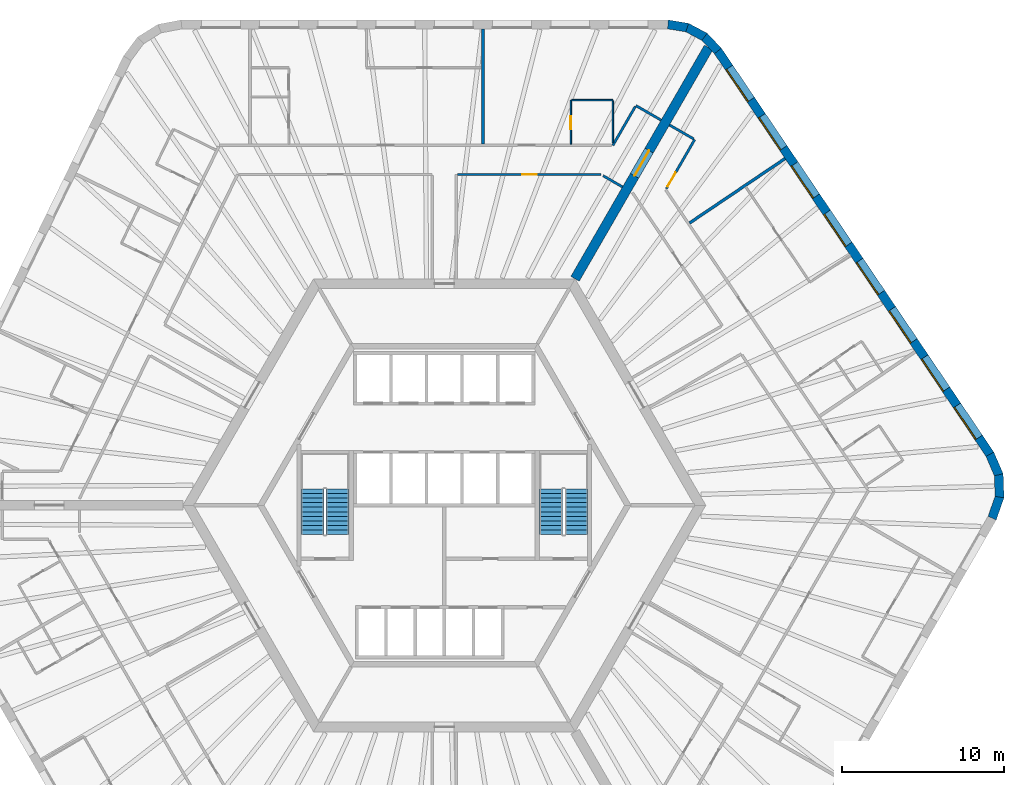
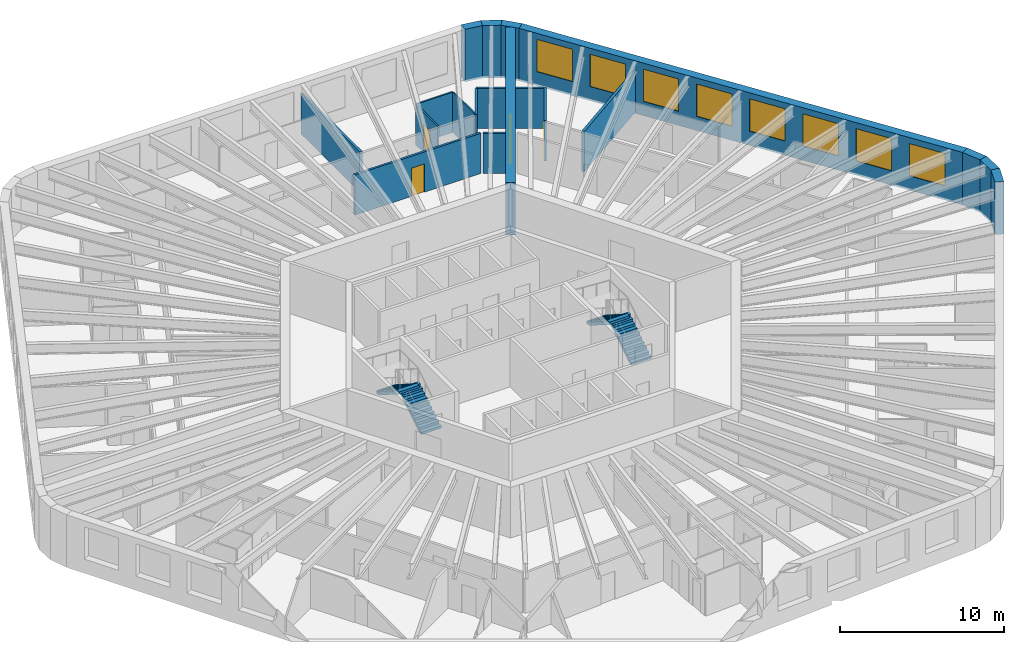
# One storey, part 10 of 11: 19 walls, 8 windows, 4 doors, 4 stair flights, 12 openings, 2 elements without a shape of their own.
"""IFC4 building model written with IfcOpenShell, lengths in metres."""

from ifc_helpers import new_model, si_unit, direction, frame, frame_2d, origin, place, context, subcontext, project, spatial, polyline, rectangle, outline, extrude, material, layer, layer_set, type_object, element, fill, aggregate, save


model = new_model("IFC4")

# Units and contexts
model_context = context("Model", 3, precision=1e-05, world=origin(), true_north=direction((0.0, 1.0)))
body_context = subcontext(model_context, "Body", "Model", "MODEL_VIEW")
ifc_project = project(units=[si_unit("LENGTHUNIT", "METRE"), si_unit("AREAUNIT", "SQUARE_METRE"), si_unit("VOLUMEUNIT", "CUBIC_METRE"), si_unit("PLANEANGLEUNIT", "RADIAN"), si_unit("MASSUNIT", "GRAM", prefix="KILO")], contexts=[model_context])

# Site, building, storey
site_placement = place(None, origin())
site = spatial("IfcSite", under=ifc_project, at=site_placement, CompositionType="ELEMENT")
building_placement = place(site_placement, origin())
building = spatial("IfcBuilding", under=site, at=building_placement, Name="Tarnside Tower", CompositionType="ELEMENT")
storey_placement = place(building_placement, frame((0.0, 0.0, 103.800048828125)))
storey = spatial("IfcBuildingStorey", under=building, at=storey_placement, Name="L23", CompositionType="ELEMENT", Elevation=103.800048828125)

# Wall, opening, door
ifc_material_1 = material(Name="Gypsum board partition on steel studs", Category="steel")
ifc_layer_1 = layer(ifc_material_1, 0.10009765625)
ifc_layer_set_1 = layer_set([ifc_layer_1], Name="Bathroom wall 100")
wall_type_1 = type_object("IfcWallType", Name="Bathroom wall 100", PredefinedType="PARTITIONING", material=ifc_layer_set_1)
wall_1_placement = place(storey_placement, frame((7.8212890625, 22.324951171875, 0.0), z_axis=(0.0, 0.0, 1.0), x_axis=(0.0, 1.0, 0.0)))
wall_1 = element("IfcWall", 1, at=wall_1_placement, inside=storey, type_object=wall_type_1, Name="Bathroom wall 07076", PredefinedType="PARTITIONING", context=body_context, shape_type="SweptSolid", body=[
    extrude(rectangle(XDim=2.72509765625, YDim=0.10009765625, at=frame_2d((1.362548828125, 0.0))), origin(), (0.0, 0.0, 1.0), 2.98779296875),
])
opening_1_placement = place(wall_1_placement, frame((0.925048828125, 0.0, 0.0)))
opening_1 = element("IfcOpeningElement", 2, at=opening_1_placement, cuts=wall_1, Name="Opening D-B1", PredefinedType="OPENING", context=body_context, shape_type="SweptSolid", body=[
    extrude(rectangle(XDim=0.800048828125, YDim=2.10009765625, at=frame_2d((0.39990234375, 1.050048828125))), frame((0.0, 0.06005859375, 0.0), z_axis=(0.0, -1.0, 0.0), x_axis=(1.0, 0.0, 0.0)), (0.0, 0.0, 1.0), 0.1201171875),
])
ifc_material_2 = material(Name="Timber door leaf", Category="wood")
door_type_1 = type_object("IfcDoorType", Name="Bathroom door 800", OperationType="NOTDEFINED", PredefinedType="DOOR", material=ifc_material_2)
door_1_placement = place(opening_1_placement, origin())
door_1 = element("IfcDoor", 3, at=door_1_placement, inside=storey, type_object=door_type_1, Name="Bathroom door 07002", OperationType="SINGLE_SWING_RIGHT", OverallHeight=2.10009765625, OverallWidth=0.800048828125, PredefinedType="DOOR", context=body_context, shape_type="SweptSolid", body=[
    extrude(rectangle(XDim=0.800048828125, YDim=2.10009765625, at=frame_2d((0.39990234375, 1.050048828125))), frame((0.0, 0.02490234375, 0.0), z_axis=(0.0, -1.0, 0.0), x_axis=(1.0, 0.0, 0.0)), (0.0, 0.0, 1.0), 0.050048828125),
])
fill(opening_1, door_1)

# Walls
wall_2_placement = place(storey_placement, frame((7.87109375, 25.050048828125, 0.0), z_axis=(0.0, 0.0, 1.0), x_axis=(1.0, 0.0, 0.0)))
element("IfcWall", 4, at=wall_2_placement, inside=storey, type_object=wall_type_1, Name="Bathroom wall 07077", PredefinedType="PARTITIONING", context=body_context, shape_type="SweptSolid", body=[
    extrude(rectangle(XDim=2.550048828125, YDim=0.10009765625, at=frame_2d((1.27490234375, 0.0))), origin(), (0.0, 0.0, 1.0), 2.98779296875),
])
wall_3_placement = place(storey_placement, frame((10.421142578125, 25.0, 0.0), z_axis=(0.0, 0.0, 1.0), x_axis=(0.0, -1.0, 0.0)))
element("IfcWall", 5, at=wall_3_placement, inside=storey, type_object=wall_type_1, Name="Bathroom wall 07078", PredefinedType="PARTITIONING", context=body_context, shape_type="SweptSolid", body=[
    extrude(rectangle(XDim=2.60009765625, YDim=0.10009765625, at=frame_2d((1.300048828125, 0.0))), origin(), (0.0, 0.0, 1.0), 2.98779296875),
])

# Wall, opening, door
ifc_material_3 = material(Name="Concrete C80/95", Category="concrete")
ifc_layer_2 = layer(ifc_material_3, 0.60009765625)
ifc_layer_set_2 = layer_set([ifc_layer_2], Name="Core wall Z1 600 C80/95")
wall_type_2 = type_object("IfcWallType", Name="Core wall Z1 600 C80/95", PredefinedType="SHEAR", material=ifc_layer_set_2)
wall_4_placement = place(storey_placement, frame((8.0830078125, 14.0, -0.150146484375), z_axis=(0.0, 0.0, 1.0), x_axis=(0.499997680643, 0.866026742862, 0.0)))
wall_4 = element("IfcWall", 6, at=wall_4_placement, inside=storey, type_object=wall_type_2, Name="L23 spine wall 1", PredefinedType="SHEAR", context=body_context, shape_type="SweptSolid", body=[
    extrude(rectangle(XDim=16.5087890625, YDim=0.60009765625, at=frame_2d((8.25439453125, 0.0))), origin(), (0.0, 0.0, 1.0), 3.900146484375),
])
opening_2_placement = place(wall_4_placement, frame((7.3544921875, 0.0, 0.14990234375)))
opening_2 = element("IfcOpeningElement", 7, at=opening_2_placement, cuts=wall_4, Name="Opening CD-SPN", PredefinedType="OPENING", context=body_context, shape_type="SweptSolid", body=[
    extrude(rectangle(XDim=1.800048828125, YDim=2.39990234375, at=frame_2d((0.89990234375, 1.199951171875))), frame((0.0, 0.31005859375, 0.0), z_axis=(0.0, -1.0, 0.0), x_axis=(1.0, 0.0, 0.0)), (0.0, 0.0, 1.0), 0.6201171875),
])
ifc_material_4 = material(Name="Steel fire door", Category="steel")
door_type_2 = type_object("IfcDoorType", Name="Spine passage double door FD60 1800x2400", OperationType="NOTDEFINED", PredefinedType="DOOR", material=ifc_material_4)
door_2_placement = place(opening_2_placement, origin())
door_2 = element("IfcDoor", 8, at=door_2_placement, inside=storey, type_object=door_type_2, Name="L23 spine passage door 1", OperationType="DOUBLE_DOOR_SINGLE_SWING", OverallHeight=2.39990234375, OverallWidth=1.800048828125, PredefinedType="DOOR", context=body_context, shape_type="SweptSolid", body=[
    extrude(rectangle(XDim=1.800048828125, YDim=2.39990234375, at=frame_2d((0.89990234375, 1.199951171875))), frame((0.0, 0.02490234375, 0.0), z_axis=(0.0, -1.0, 0.0), x_axis=(1.0, 0.0, 0.0)), (0.0, 0.0, 1.0), 0.050048828125),
])
fill(opening_2, door_2)

# Walls
ifc_layer_3 = layer(ifc_material_1, 0.14990234375)
ifc_layer_set_3 = layer_set([ifc_layer_3], Name="Corridor wall 150 EI 60")
wall_type_3 = type_object("IfcWallType", Name="Corridor wall 150 EI 60", PredefinedType="PARTITIONING", material=ifc_layer_set_3)
wall_5_placement = place(storey_placement, frame((13.400390625, 23.81005859375, 0.0), z_axis=(0.0, 0.0, 1.0), x_axis=(-0.865989075817, 0.500062916607, 0.0)))
element("IfcWall", 9, at=wall_5_placement, inside=storey, type_object=wall_type_3, Name="Corridor wall 07002", PredefinedType="PARTITIONING", context=body_context, shape_type="SweptSolid", body=[
    extrude(rectangle(XDim=1.800048828125, YDim=0.14990234375, at=frame_2d((0.89990234375, 0.0))), origin(), (0.0, 0.0, 1.0), 2.98779296875),
])
wall_6_placement = place(storey_placement, frame((11.803955078125, 24.64501953125, 0.0), z_axis=(0.0, 0.0, 1.0), x_axis=(-0.500012835235, -0.866017993231, 0.0)))
element("IfcWall", 10, at=wall_6_placement, inside=storey, type_object=wall_type_3, Name="Corridor wall 07003", PredefinedType="PARTITIONING", context=body_context, shape_type="SweptSolid", body=[
    extrude(rectangle(XDim=2.765625, YDim=0.14990234375, at=frame_2d((1.3828125, 0.0))), origin(), (0.0, 0.0, 1.0), 2.98779296875),
])

# Wall, opening, door
wall_7_placement = place(storey_placement, frame((0.824951171875, 20.449951171875, 0.0), z_axis=(0.0, 0.0, 1.0), x_axis=(1.0, 0.0, 0.0)))
wall_7 = element("IfcWall", 11, at=wall_7_placement, inside=storey, type_object=wall_type_3, Name="Corridor wall 07023", PredefinedType="PARTITIONING", context=body_context, shape_type="SweptSolid", body=[
    extrude(rectangle(XDim=8.860107421875, YDim=0.14990234375, at=frame_2d((4.43017578125, 0.0))), origin(), (0.0, 0.0, 1.0), 2.98779296875),
])
opening_3_placement = place(wall_7_placement, frame((3.97998046875, 0.0, 0.0)))
opening_3 = element("IfcOpeningElement", 12, at=opening_3_placement, cuts=wall_7, Name="Opening D-S1", PredefinedType="OPENING", context=body_context, shape_type="SweptSolid", body=[
    extrude(rectangle(XDim=0.89990234375, YDim=2.10009765625, at=frame_2d((0.449951171875, 1.050048828125))), frame((0.0, 0.0849609375, 0.0), z_axis=(0.0, -1.0, 0.0), x_axis=(1.0, 0.0, 0.0)), (0.0, 0.0, 1.0), 0.169921875),
])
door_type_3 = type_object("IfcDoorType", Name="Service room door 900 FD30S", OperationType="NOTDEFINED", PredefinedType="DOOR", material=ifc_material_2)
door_3_placement = place(opening_3_placement, origin())
door_3 = element("IfcDoor", 13, at=door_3_placement, inside=storey, type_object=door_type_3, Name="Service door 07043", OperationType="SINGLE_SWING_LEFT", OverallHeight=2.10009765625, OverallWidth=0.89990234375, PredefinedType="DOOR", context=body_context, shape_type="SweptSolid", body=[
    extrude(rectangle(XDim=0.89990234375, YDim=2.10009765625, at=frame_2d((0.449951171875, 1.050048828125))), frame((0.0, 0.02490234375, 0.0), z_axis=(0.0, -1.0, 0.0), x_axis=(1.0, 0.0, 0.0)), (0.0, 0.0, 1.0), 0.050048828125),
])
fill(opening_3, door_3)

# Wall
wall_8_placement = place(storey_placement, frame((9.81494140625, 20.375, 0.0), z_axis=(0.0, 0.0, 1.0), x_axis=(0.86600392025, -0.500037208726, 0.0)))
element("IfcWall", 14, at=wall_8_placement, inside=storey, type_object=wall_type_3, Name="Corridor wall 07024", PredefinedType="PARTITIONING", context=body_context, shape_type="SweptSolid", body=[
    extrude(rectangle(XDim=1.3876953125, YDim=0.14990234375, at=frame_2d((0.69384765625, 0.0))), origin(), (0.0, 0.0, 1.0), 2.98779296875),
])

# Wall, opening, door
wall_9_placement = place(storey_placement, frame((13.72607421875, 19.573974609375, 0.0), z_axis=(0.0, 0.0, 1.0), x_axis=(0.499951531933, 0.866053385028, 0.0)))
wall_9 = element("IfcWall", 15, at=wall_9_placement, inside=storey, type_object=wall_type_3, Name="Corridor wall 07065", PredefinedType="PARTITIONING", context=body_context, shape_type="SweptSolid", body=[
    extrude(rectangle(XDim=3.505615234375, YDim=0.14990234375, at=frame_2d((1.7529296875, 0.0))), origin(), (0.0, 0.0, 1.0), 2.98779296875),
])
opening_4_placement = place(wall_9_placement, frame((0.14990234375, 0.0, 0.0)))
opening_4 = element("IfcOpeningElement", 16, at=opening_4_placement, cuts=wall_9, Name="Opening D-E1", PredefinedType="OPENING", context=body_context, shape_type="SweptSolid", body=[
    extrude(rectangle(XDim=1.0, YDim=2.10009765625, at=frame_2d((0.5, 1.050048828125))), frame((0.0, 0.0849609375, 0.0), z_axis=(0.0, -1.0, 0.0), x_axis=(1.0, 0.0, 0.0)), (0.0, 0.0, 1.0), 0.169921875),
])
door_type_4 = type_object("IfcDoorType", Name="Unit entrance door 1000 FD30S", OperationType="NOTDEFINED", PredefinedType="DOOR", material=ifc_material_2)
door_4_placement = place(opening_4_placement, origin())
door_4 = element("IfcDoor", 17, at=door_4_placement, inside=storey, type_object=door_type_4, Name="Unit door 07041", OperationType="SINGLE_SWING_RIGHT", OverallHeight=2.10009765625, OverallWidth=1.0, PredefinedType="DOOR", context=body_context, shape_type="SweptSolid", body=[
    extrude(rectangle(XDim=1.0, YDim=2.10009765625, at=frame_2d((0.5, 1.050048828125))), frame((0.0, 0.02490234375, 0.0), z_axis=(0.0, -1.0, 0.0), x_axis=(1.0, 0.0, 0.0)), (0.0, 0.0, 1.0), 0.050048828125),
])
fill(opening_4, door_4)

# Walls
wall_10_placement = place(storey_placement, frame((15.413818359375, 22.647705078125, 0.0), z_axis=(0.0, 0.0, 1.0), x_axis=(-0.866074815912, 0.499914405916, 0.0)))
element("IfcWall", 18, at=wall_10_placement, inside=storey, type_object=wall_type_3, Name="Corridor wall 07066", PredefinedType="PARTITIONING", context=body_context, shape_type="SweptSolid", body=[
    extrude(rectangle(XDim=1.724853515625, YDim=0.14990234375, at=frame_2d((0.8623046875, 0.0))), origin(), (0.0, 0.0, 1.0), 2.98779296875),
])
ifc_layer_4 = layer(ifc_material_1, 0.179931640625)
ifc_layer_set_4 = layer_set([ifc_layer_4], Name="Demising wall 180 EI 60")
wall_type_4 = type_object("IfcWallType", Name="Demising wall 180 EI 60", PredefinedType="PARTITIONING", material=ifc_layer_set_4)
for number, where, z_axis, x_axis, name in (
    (19, (2.388916015625, 29.449951171875, 0.0), (0.0, 0.0, 1.0), (0.0, -1.0, 0.0), "Demising wall 07079"),
    (20, (21.066162109375, 21.433349609375, 0.0), (0.0, 0.0, 1.0), (-0.829022625118, -0.559215063318, 0.0), "Demising wall 07156"),
):
    element("IfcWall", number, at=place(storey_placement, frame(where, z_axis=z_axis, x_axis=x_axis)), inside=storey, type_object=wall_type_4, Name=name, PredefinedType="PARTITIONING", context=body_context, shape_type="SweptSolid", body=[
        extrude(rectangle(XDim=7.125, YDim=0.179931640625, at=frame_2d((3.5625, 0.0))), origin(), (0.0, 0.0, 1.0), 2.98779296875),
    ])
ifc_material_5 = material(Name="Facing brick", Category="masonry")
ifc_layer_5 = layer(ifc_material_5, 0.10205078125)
ifc_material_6 = material(Name="Concrete C60/75 precast", Category="concrete")
ifc_layer_6 = layer(ifc_material_6, 0.347900390625)
ifc_material_7 = material(Name="Mineral wool insulation")
ifc_layer_7 = layer(ifc_material_7, 0.10009765625)
ifc_layer_set_5 = layer_set([ifc_layer_5, ifc_layer_6, ifc_layer_7], Name="Tube wall 550 brick faced")
wall_type_5 = type_object("IfcWallType", Name="Tube wall 550 brick faced", PredefinedType="SOLIDWALL", material=ifc_layer_set_5)
wall_11_placement = place(storey_placement, frame((33.865966796875, -0.79248046875, -0.150146484375), z_axis=(0.0, 0.0, 1.0), x_axis=(0.33111537203, 0.943590276765, 0.0)))
element("IfcWall", 21, at=wall_11_placement, inside=storey, type_object=wall_type_5, Name="Tube wall L23 F5 chord 17", PredefinedType="SOLIDWALL", context=body_context, shape_type="SweptSolid", body=[
    extrude(outline(polyline([(-0.025634765625, -0.27490234375), (1.4306640625, -0.27490234375), (1.3271484375, 0.27490234375), (0.025634765625, 0.27490234375), (-0.025634765625, -0.27490234375)])), origin(), (0.0, 0.0, 1.0), 3.900146484375),
])
wall_12_placement = place(storey_placement, frame((34.322509765625, 0.508544921875, -0.150146484375), z_axis=(0.0, 0.0, 1.0), x_axis=(-0.034876908462, 0.999391615562, 0.0)))
element("IfcWall", 22, at=wall_12_placement, inside=storey, type_object=wall_type_5, Name="Tube wall L23 F5 chord 18", PredefinedType="SOLIDWALL", context=body_context, shape_type="SweptSolid", body=[
    extrude(outline(polyline([(-0.0517578125, -0.27490234375), (1.4306640625, -0.27490234375), (1.3271484375, 0.27490234375), (0.0517578125, 0.27490234375), (-0.0517578125, -0.27490234375)])), origin(), (0.0, 0.0, 1.0), 3.900146484375),
])
wall_13_placement = place(storey_placement, frame((34.2744140625, 1.88671875, -0.150146484375), z_axis=(0.0, 0.0, 1.0), x_axis=(-0.396161342798, 0.918180913803, 0.0)))
element("IfcWall", 23, at=wall_13_placement, inside=storey, type_object=wall_type_5, Name="Tube wall L23 F5 chord 19", PredefinedType="SOLIDWALL", context=body_context, shape_type="SweptSolid", body=[
    extrude(outline(polyline([(-0.0517578125, -0.27490234375), (1.40478515625, -0.27490234375), (1.353515625, 0.27490234375), (0.0517578125, 0.27490234375), (-0.0517578125, -0.27490234375)])), origin(), (0.0, 0.0, 1.0), 3.900146484375),
])

# Wall, openings, windows
wall_14_placement = place(storey_placement, frame((33.72802734375, 3.153076171875, -0.150146484375), z_axis=(0.0, 0.0, 1.0), x_axis=(-0.559192411416, 0.82903790445, 0.0)))
wall_14 = element("IfcWall", 24, at=wall_14_placement, inside=storey, type_object=wall_type_5, Name="Tube wall L23 F6 flush 20", PredefinedType="SOLIDWALL", context=body_context, shape_type="SweptSolid", body=[
    extrude(outline(polyline([(-0.025634765625, -0.27490234375), (30.09326171875, -0.27490234375), (30.04833984375, 0.27490234375), (0.025634765625, 0.27490234375), (-0.025634765625, -0.27490234375)])), origin(), (0.0, 0.0, 1.0), 3.900146484375),
])
opening_5_placement = place(wall_14_placement, frame((1.235595703125, 0.0, 1.050048828125)))
opening_5 = element("IfcOpeningElement", 25, at=opening_5_placement, cuts=wall_14, Name="Opening WH", PredefinedType="OPENING", context=body_context, shape_type="SweptSolid", body=[
    extrude(rectangle(XDim=2.39990234375, YDim=2.39990234375, at=frame_2d((1.199951171875, 1.199951171875))), frame((0.0, 0.28515625, 0.0), z_axis=(0.0, -1.0, 0.0), x_axis=(1.0, 0.0, 0.0)), (0.0, 0.0, 1.0), 0.570068359375),
])
opening_6_placement = place(wall_14_placement, frame((4.83544921875, 0.0, 1.050048828125)))
opening_6 = element("IfcOpeningElement", 26, at=opening_6_placement, cuts=wall_14, Name="Opening WH", PredefinedType="OPENING", context=body_context, shape_type="SweptSolid", body=[
    extrude(rectangle(XDim=2.39990234375, YDim=2.39990234375, at=frame_2d((1.199951171875, 1.199951171875))), frame((0.0, 0.28515625, 0.0), z_axis=(0.0, -1.0, 0.0), x_axis=(1.0, 0.0, 0.0)), (0.0, 0.0, 1.0), 0.570068359375),
])
opening_7_placement = place(wall_14_placement, frame((8.435546875, 0.0, 1.050048828125)))
opening_7 = element("IfcOpeningElement", 27, at=opening_7_placement, cuts=wall_14, Name="Opening WH", PredefinedType="OPENING", context=body_context, shape_type="SweptSolid", body=[
    extrude(rectangle(XDim=2.39990234375, YDim=2.39990234375, at=frame_2d((1.199951171875, 1.199951171875))), frame((0.0, 0.28515625, 0.0), z_axis=(0.0, -1.0, 0.0), x_axis=(1.0, 0.0, 0.0)), (0.0, 0.0, 1.0), 0.570068359375),
])
opening_8_placement = place(wall_14_placement, frame((12.035400390625, 0.0, 1.050048828125)))
opening_8 = element("IfcOpeningElement", 28, at=opening_8_placement, cuts=wall_14, Name="Opening WH", PredefinedType="OPENING", context=body_context, shape_type="SweptSolid", body=[
    extrude(rectangle(XDim=2.39990234375, YDim=2.39990234375, at=frame_2d((1.199951171875, 1.199951171875))), frame((0.0, 0.28515625, 0.0), z_axis=(0.0, -1.0, 0.0), x_axis=(1.0, 0.0, 0.0)), (0.0, 0.0, 1.0), 0.570068359375),
])
opening_9_placement = place(wall_14_placement, frame((15.635498046875, 0.0, 1.050048828125)))
opening_9 = element("IfcOpeningElement", 29, at=opening_9_placement, cuts=wall_14, Name="Opening WH", PredefinedType="OPENING", context=body_context, shape_type="SweptSolid", body=[
    extrude(rectangle(XDim=2.39990234375, YDim=2.39990234375, at=frame_2d((1.199951171875, 1.199951171875))), frame((0.0, 0.28515625, 0.0), z_axis=(0.0, -1.0, 0.0), x_axis=(1.0, 0.0, 0.0)), (0.0, 0.0, 1.0), 0.570068359375),
])
opening_10_placement = place(wall_14_placement, frame((19.235595703125, 0.0, 1.050048828125)))
opening_10 = element("IfcOpeningElement", 30, at=opening_10_placement, cuts=wall_14, Name="Opening WH", PredefinedType="OPENING", context=body_context, shape_type="SweptSolid", body=[
    extrude(rectangle(XDim=2.39990234375, YDim=2.39990234375, at=frame_2d((1.199951171875, 1.199951171875))), frame((0.0, 0.28515625, 0.0), z_axis=(0.0, -1.0, 0.0), x_axis=(1.0, 0.0, 0.0)), (0.0, 0.0, 1.0), 0.570068359375),
])
opening_11_placement = place(wall_14_placement, frame((22.83544921875, 0.0, 1.050048828125)))
opening_11 = element("IfcOpeningElement", 31, at=opening_11_placement, cuts=wall_14, Name="Opening WH", PredefinedType="OPENING", context=body_context, shape_type="SweptSolid", body=[
    extrude(rectangle(XDim=2.39990234375, YDim=2.39990234375, at=frame_2d((1.199951171875, 1.199951171875))), frame((0.0, 0.28515625, 0.0), z_axis=(0.0, -1.0, 0.0), x_axis=(1.0, 0.0, 0.0)), (0.0, 0.0, 1.0), 0.570068359375),
])
opening_12_placement = place(wall_14_placement, frame((26.435546875, 0.0, 1.050048828125)))
opening_12 = element("IfcOpeningElement", 32, at=opening_12_placement, cuts=wall_14, Name="Opening WH", PredefinedType="OPENING", context=body_context, shape_type="SweptSolid", body=[
    extrude(rectangle(XDim=2.39990234375, YDim=2.39990234375, at=frame_2d((1.199951171875, 1.199951171875))), frame((0.0, 0.28515625, 0.0), z_axis=(0.0, -1.0, 0.0), x_axis=(1.0, 0.0, 0.0)), (0.0, 0.0, 1.0), 0.570068359375),
])
ifc_material_8 = material(Name="Aluminium-framed double glazing", Category="aluminium")
window_type = type_object("IfcWindowType", Name="Hotel window 2400 x 2400", PartitioningType="DOUBLE_PANEL_VERTICAL", PredefinedType="WINDOW", material=ifc_material_8)
window_1_placement = place(opening_5_placement, frame((0.0, 0.205078125, 0.0)))
window_1 = element("IfcWindow", 33, at=window_1_placement, inside=storey, type_object=window_type, Name="E.WN.L23.F6.00", OverallHeight=2.39990234375, OverallWidth=2.39990234375, PartitioningType="DOUBLE_PANEL_VERTICAL", PredefinedType="WINDOW", context=body_context, shape_type="SweptSolid", body=[
    extrude(rectangle(XDim=2.39990234375, YDim=2.39990234375, at=frame_2d((1.199951171875, 1.199951171875))), frame((0.0, 0.030029296875, 0.0), z_axis=(0.0, -1.0, 0.0), x_axis=(1.0, 0.0, 0.0)), (0.0, 0.0, 1.0), 0.06005859375),
])
fill(opening_5, window_1)
window_2_placement = place(opening_6_placement, frame((0.0, 0.205078125, 0.0)))
window_2 = element("IfcWindow", 34, at=window_2_placement, inside=storey, type_object=window_type, Name="E.WN.L23.F6.01", OverallHeight=2.39990234375, OverallWidth=2.39990234375, PartitioningType="DOUBLE_PANEL_VERTICAL", PredefinedType="WINDOW", context=body_context, shape_type="SweptSolid", body=[
    extrude(rectangle(XDim=2.39990234375, YDim=2.39990234375, at=frame_2d((1.199951171875, 1.199951171875))), frame((0.0, 0.030029296875, 0.0), z_axis=(0.0, -1.0, 0.0), x_axis=(1.0, 0.0, 0.0)), (0.0, 0.0, 1.0), 0.06005859375),
])
fill(opening_6, window_2)
window_3_placement = place(opening_7_placement, frame((0.0, 0.205078125, 0.0)))
window_3 = element("IfcWindow", 35, at=window_3_placement, inside=storey, type_object=window_type, Name="E.WN.L23.F6.02", OverallHeight=2.39990234375, OverallWidth=2.39990234375, PartitioningType="DOUBLE_PANEL_VERTICAL", PredefinedType="WINDOW", context=body_context, shape_type="SweptSolid", body=[
    extrude(rectangle(XDim=2.39990234375, YDim=2.39990234375, at=frame_2d((1.199951171875, 1.199951171875))), frame((0.0, 0.030029296875, 0.0), z_axis=(0.0, -1.0, 0.0), x_axis=(1.0, 0.0, 0.0)), (0.0, 0.0, 1.0), 0.06005859375),
])
fill(opening_7, window_3)
window_4_placement = place(opening_8_placement, frame((0.0, 0.205078125, 0.0)))
window_4 = element("IfcWindow", 36, at=window_4_placement, inside=storey, type_object=window_type, Name="E.WN.L23.F6.03", OverallHeight=2.39990234375, OverallWidth=2.39990234375, PartitioningType="DOUBLE_PANEL_VERTICAL", PredefinedType="WINDOW", context=body_context, shape_type="SweptSolid", body=[
    extrude(rectangle(XDim=2.39990234375, YDim=2.39990234375, at=frame_2d((1.199951171875, 1.199951171875))), frame((0.0, 0.030029296875, 0.0), z_axis=(0.0, -1.0, 0.0), x_axis=(1.0, 0.0, 0.0)), (0.0, 0.0, 1.0), 0.06005859375),
])
fill(opening_8, window_4)
window_5_placement = place(opening_9_placement, frame((0.0, 0.205078125, 0.0)))
window_5 = element("IfcWindow", 37, at=window_5_placement, inside=storey, type_object=window_type, Name="E.WN.L23.F6.04", OverallHeight=2.39990234375, OverallWidth=2.39990234375, PartitioningType="DOUBLE_PANEL_VERTICAL", PredefinedType="WINDOW", context=body_context, shape_type="SweptSolid", body=[
    extrude(rectangle(XDim=2.39990234375, YDim=2.39990234375, at=frame_2d((1.199951171875, 1.199951171875))), frame((0.0, 0.030029296875, 0.0), z_axis=(0.0, -1.0, 0.0), x_axis=(1.0, 0.0, 0.0)), (0.0, 0.0, 1.0), 0.06005859375),
])
fill(opening_9, window_5)
window_6_placement = place(opening_10_placement, frame((0.0, 0.205078125, 0.0)))
window_6 = element("IfcWindow", 38, at=window_6_placement, inside=storey, type_object=window_type, Name="E.WN.L23.F6.05", OverallHeight=2.39990234375, OverallWidth=2.39990234375, PartitioningType="DOUBLE_PANEL_VERTICAL", PredefinedType="WINDOW", context=body_context, shape_type="SweptSolid", body=[
    extrude(rectangle(XDim=2.39990234375, YDim=2.39990234375, at=frame_2d((1.199951171875, 1.199951171875))), frame((0.0, 0.030029296875, 0.0), z_axis=(0.0, -1.0, 0.0), x_axis=(1.0, 0.0, 0.0)), (0.0, 0.0, 1.0), 0.06005859375),
])
fill(opening_10, window_6)
window_7_placement = place(opening_11_placement, frame((0.0, 0.205078125, 0.0)))
window_7 = element("IfcWindow", 39, at=window_7_placement, inside=storey, type_object=window_type, Name="E.WN.L23.F6.06", OverallHeight=2.39990234375, OverallWidth=2.39990234375, PartitioningType="DOUBLE_PANEL_VERTICAL", PredefinedType="WINDOW", context=body_context, shape_type="SweptSolid", body=[
    extrude(rectangle(XDim=2.39990234375, YDim=2.39990234375, at=frame_2d((1.199951171875, 1.199951171875))), frame((0.0, 0.030029296875, 0.0), z_axis=(0.0, -1.0, 0.0), x_axis=(1.0, 0.0, 0.0)), (0.0, 0.0, 1.0), 0.06005859375),
])
fill(opening_11, window_7)
window_8_placement = place(opening_12_placement, frame((0.0, 0.205078125, 0.0)))
window_8 = element("IfcWindow", 40, at=window_8_placement, inside=storey, type_object=window_type, Name="E.WN.L23.F6.07", OverallHeight=2.39990234375, OverallWidth=2.39990234375, PartitioningType="DOUBLE_PANEL_VERTICAL", PredefinedType="WINDOW", context=body_context, shape_type="SweptSolid", body=[
    extrude(rectangle(XDim=2.39990234375, YDim=2.39990234375, at=frame_2d((1.199951171875, 1.199951171875))), frame((0.0, 0.030029296875, 0.0), z_axis=(0.0, -1.0, 0.0), x_axis=(1.0, 0.0, 0.0)), (0.0, 0.0, 1.0), 0.06005859375),
])
fill(opening_12, window_8)

# Walls
wall_15_placement = place(storey_placement, frame((16.91259765625, 28.0830078125, -0.150146484375), z_axis=(0.0, 0.0, 1.0), x_axis=(-0.686196220404, 0.727416488061, 0.0)))
element("IfcWall", 41, at=wall_15_placement, inside=storey, type_object=wall_type_5, Name="Tube wall L23 F6 chord 21", PredefinedType="SOLIDWALL", context=body_context, shape_type="SweptSolid", body=[
    extrude(outline(polyline([(-0.0224609375, -0.27490234375), (1.25341796875, -0.27490234375), (1.1630859375, 0.27490234375), (0.0224609375, 0.27490234375), (-0.0224609375, -0.27490234375)])), origin(), (0.0, 0.0, 1.0), 3.900146484375),
])
wall_16_placement = place(storey_placement, frame((16.08349609375, 28.9619140625, -0.150146484375), z_axis=(0.0, 0.0, 1.0), x_axis=(-0.882995347911, 0.469381737574, 0.0)))
element("IfcWall", 42, at=wall_16_placement, inside=storey, type_object=wall_type_5, Name="Tube wall L23 F6 chord 22", PredefinedType="SOLIDWALL", context=body_context, shape_type="SweptSolid", body=[
    extrude(outline(polyline([(-0.045166015625, -0.27490234375), (1.25341796875, -0.27490234375), (1.1630859375, 0.27490234375), (0.045166015625, 0.27490234375), (-0.045166015625, -0.27490234375)])), origin(), (0.0, 0.0, 1.0), 3.900146484375),
])
wall_17_placement = place(storey_placement, frame((15.0166015625, 29.529052734375, -0.150146484375), z_axis=(0.0, 0.0, 1.0), x_axis=(-0.986746625868, 0.162268593195, 0.0)))
element("IfcWall", 43, at=wall_17_placement, inside=storey, type_object=wall_type_5, Name="Tube wall L23 F6 chord 23", PredefinedType="SOLIDWALL", context=body_context, shape_type="SweptSolid", body=[
    extrude(outline(polyline([(-0.045166015625, -0.27490234375), (1.230712890625, -0.27490234375), (1.185791015625, 0.27490234375), (0.045166015625, 0.27490234375), (-0.045166015625, -0.27490234375)])), origin(), (0.0, 0.0, 1.0), 3.900146484375),
])

# Stair, stair flights
ifc_material_9 = material(Name="Concrete C40/50", Category="concrete")
stair_type = type_object("IfcStairType", Name="Exit stair 1400 clear", PredefinedType="HALF_TURN_STAIR", material=ifc_material_9)
stair_1_placement = place(storey_placement, origin())
stair_1 = element("IfcStair", 44, at=stair_1_placement, inside=storey, type_object=stair_type, Name="L23 Exit stair 1", PredefinedType="HALF_TURN_STAIR")
stair_flight_type = type_object("IfcStairFlightType", Name="Exit stair flight 1400", PredefinedType="STRAIGHT", material=ifc_material_9)
stair_flight_1_placement = place(storey_placement, frame((8.14990234375, -1.800048828125, 0.0), z_axis=(0.0, 0.0, 1.0), x_axis=(0.0, 1.0, 0.0)))
stair_flight_1 = element("IfcStairFlight", 45, at=stair_flight_1_placement, type_object=stair_flight_type, Name="ST1 flight 1", NumberOfRisers=11, NumberOfTreads=10, PredefinedType="STRAIGHT", RiserHeight=0.177272727, TreadLength=0.28, context=body_context, shape_type="SweptSolid", body=[
    extrude(outline(polyline([(0.0, 0.0), (0.0, 0.17724609375), (0.280029296875, 0.17724609375), (0.280029296875, 0.3544921875), (0.56005859375, 0.3544921875), (0.56005859375, 0.53173828125), (0.840087890625, 0.53173828125), (0.840087890625, 0.708984375), (1.1201171875, 0.708984375), (1.1201171875, 0.886474609375), (1.39990234375, 0.886474609375), (1.39990234375, 1.063720703125), (1.679931640625, 1.063720703125), (1.679931640625, 1.240966796875), (1.9599609375, 1.240966796875), (1.9599609375, 1.418212890625), (2.239990234375, 1.418212890625), (2.239990234375, 1.595458984375), (2.52001953125, 1.595458984375), (2.52001953125, 1.772705078125), (2.800048828125, 1.772705078125), (2.800048828125, 1.949951171875), (2.800048828125, 1.59521484375), (0.2802734375, 0.0), (0.0, 0.0)])), frame((0.0, 0.699951171875, 0.0), z_axis=(0.0, -1.0, 0.0), x_axis=(1.0, 0.0, 0.0)), (0.0, 0.0, 1.0), 1.39990234375),
])
stair_flight_2_placement = place(storey_placement, frame((6.60009765625, 1.0, 1.949951171875), z_axis=(0.0, 0.0, 1.0), x_axis=(0.0, -1.0, 0.0)))
stair_flight_2 = element("IfcStairFlight", 46, at=stair_flight_2_placement, type_object=stair_flight_type, Name="ST1 flight 2", NumberOfRisers=11, NumberOfTreads=10, PredefinedType="STRAIGHT", RiserHeight=0.177272727, TreadLength=0.28, context=body_context, shape_type="SweptSolid", body=[
    extrude(outline(polyline([(0.0, 0.0), (0.0, 0.17724609375), (0.280029296875, 0.17724609375), (0.280029296875, 0.3544921875), (0.56005859375, 0.3544921875), (0.56005859375, 0.53173828125), (0.840087890625, 0.53173828125), (0.840087890625, 0.708984375), (1.1201171875, 0.708984375), (1.1201171875, 0.886474609375), (1.39990234375, 0.886474609375), (1.39990234375, 1.063720703125), (1.679931640625, 1.063720703125), (1.679931640625, 1.240966796875), (1.9599609375, 1.240966796875), (1.9599609375, 1.418212890625), (2.239990234375, 1.418212890625), (2.239990234375, 1.595458984375), (2.52001953125, 1.595458984375), (2.52001953125, 1.772705078125), (2.800048828125, 1.772705078125), (2.800048828125, 1.949951171875), (2.800048828125, 1.59521484375), (0.2802734375, 0.0), (0.0, 0.0)])), frame((0.0, 0.699951171875, 0.0), z_axis=(0.0, -1.0, 0.0), x_axis=(1.0, 0.0, 0.0)), (0.0, 0.0, 1.0), 1.39990234375),
])
aggregate(stair_1, [stair_flight_1, stair_flight_2])

stair_2_placement = place(storey_placement, origin())
stair_2 = element("IfcStair", 47, at=stair_2_placement, inside=storey, type_object=stair_type, Name="L23 Exit stair 2", PredefinedType="HALF_TURN_STAIR")
stair_flight_3_placement = place(storey_placement, frame((-6.60009765625, -1.800048828125, 0.0), z_axis=(0.0, 0.0, 1.0), x_axis=(0.0, 1.0, 0.0)))
stair_flight_3 = element("IfcStairFlight", 48, at=stair_flight_3_placement, type_object=stair_flight_type, Name="ST2 flight 1", NumberOfRisers=11, NumberOfTreads=10, PredefinedType="STRAIGHT", RiserHeight=0.177272727, TreadLength=0.28, context=body_context, shape_type="SweptSolid", body=[
    extrude(outline(polyline([(0.0, 0.0), (0.0, 0.17724609375), (0.280029296875, 0.17724609375), (0.280029296875, 0.3544921875), (0.56005859375, 0.3544921875), (0.56005859375, 0.53173828125), (0.840087890625, 0.53173828125), (0.840087890625, 0.708984375), (1.1201171875, 0.708984375), (1.1201171875, 0.886474609375), (1.39990234375, 0.886474609375), (1.39990234375, 1.063720703125), (1.679931640625, 1.063720703125), (1.679931640625, 1.240966796875), (1.9599609375, 1.240966796875), (1.9599609375, 1.418212890625), (2.239990234375, 1.418212890625), (2.239990234375, 1.595458984375), (2.52001953125, 1.595458984375), (2.52001953125, 1.772705078125), (2.800048828125, 1.772705078125), (2.800048828125, 1.949951171875), (2.800048828125, 1.59521484375), (0.2802734375, 0.0), (0.0, 0.0)])), frame((0.0, 0.699951171875, 0.0), z_axis=(0.0, -1.0, 0.0), x_axis=(1.0, 0.0, 0.0)), (0.0, 0.0, 1.0), 1.39990234375),
])
stair_flight_4_placement = place(storey_placement, frame((-8.14990234375, 1.0, 1.949951171875), z_axis=(0.0, 0.0, 1.0), x_axis=(0.0, -1.0, 0.0)))
stair_flight_4 = element("IfcStairFlight", 49, at=stair_flight_4_placement, type_object=stair_flight_type, Name="ST2 flight 2", NumberOfRisers=11, NumberOfTreads=10, PredefinedType="STRAIGHT", RiserHeight=0.177272727, TreadLength=0.28, context=body_context, shape_type="SweptSolid", body=[
    extrude(outline(polyline([(0.0, 0.0), (0.0, 0.17724609375), (0.280029296875, 0.17724609375), (0.280029296875, 0.3544921875), (0.56005859375, 0.3544921875), (0.56005859375, 0.53173828125), (0.840087890625, 0.53173828125), (0.840087890625, 0.708984375), (1.1201171875, 0.708984375), (1.1201171875, 0.886474609375), (1.39990234375, 0.886474609375), (1.39990234375, 1.063720703125), (1.679931640625, 1.063720703125), (1.679931640625, 1.240966796875), (1.9599609375, 1.240966796875), (1.9599609375, 1.418212890625), (2.239990234375, 1.418212890625), (2.239990234375, 1.595458984375), (2.52001953125, 1.595458984375), (2.52001953125, 1.772705078125), (2.800048828125, 1.772705078125), (2.800048828125, 1.949951171875), (2.800048828125, 1.59521484375), (0.2802734375, 0.0), (0.0, 0.0)])), frame((0.0, 0.699951171875, 0.0), z_axis=(0.0, -1.0, 0.0), x_axis=(1.0, 0.0, 0.0)), (0.0, 0.0, 1.0), 1.39990234375),
])
aggregate(stair_2, [stair_flight_3, stair_flight_4])

save(model, "model.ifc")
